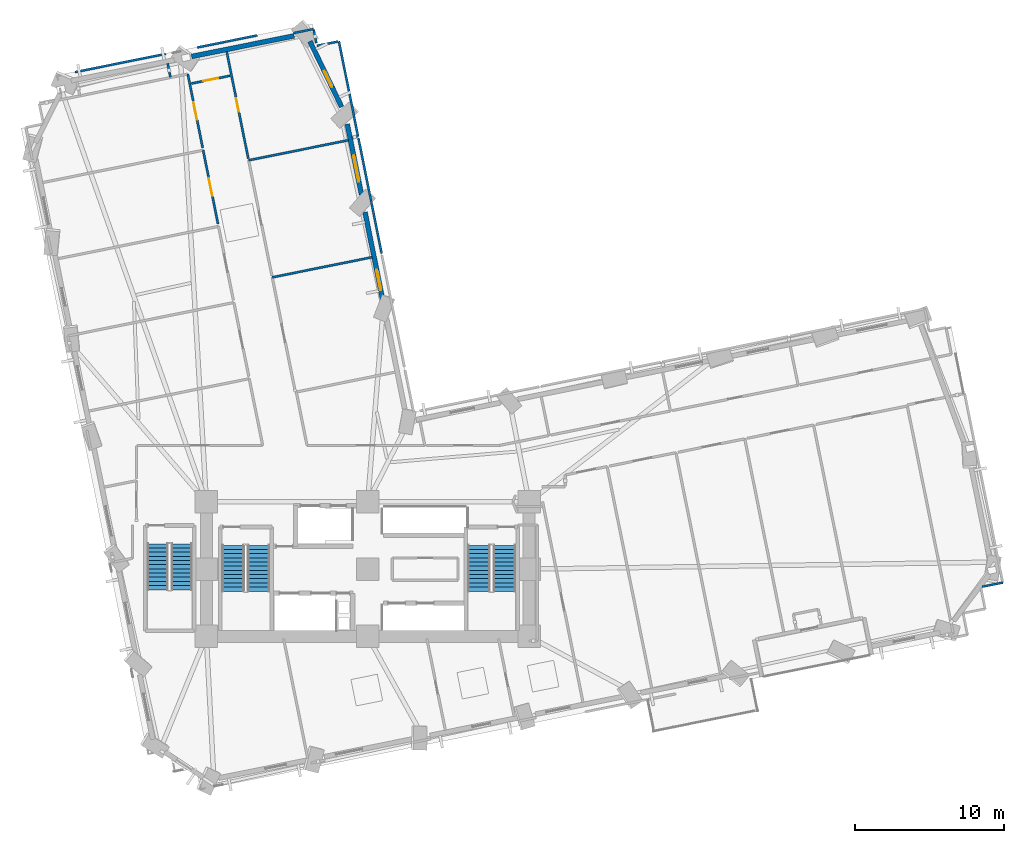
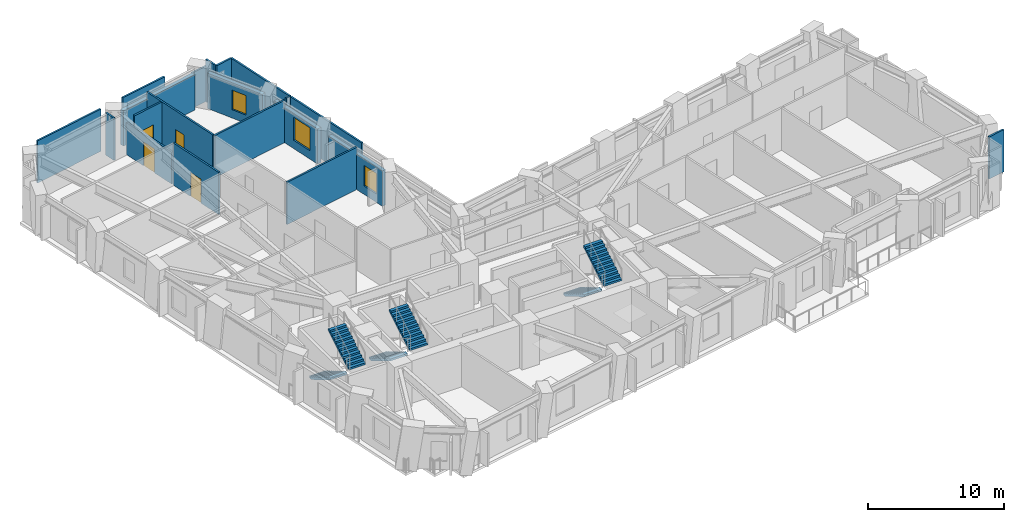
# One storey, part 11 of 16: 20 walls, 6 stair flights, 4 doors, 3 windows, 7 openings, 3 elements without a shape of their own.
"""IFC4 building model written with IfcOpenShell, lengths in metres."""

from ifc_helpers import new_model, si_unit, direction, frame, frame_2d, origin, place, context, subcontext, project, spatial, polyline, rectangle, outline, extrude, material, layer, layer_set, type_object, element, fill, aggregate, save


model = new_model("IFC4")

# Units and contexts
model_context = context("Model", 3, precision=1e-05, world=origin(), true_north=direction((0.0, 1.0)))
body_context = subcontext(model_context, "Body", "Model", "MODEL_VIEW")
ifc_project = project(units=[si_unit("LENGTHUNIT", "METRE"), si_unit("AREAUNIT", "SQUARE_METRE"), si_unit("VOLUMEUNIT", "CUBIC_METRE"), si_unit("PLANEANGLEUNIT", "RADIAN"), si_unit("MASSUNIT", "GRAM", prefix="KILO")], contexts=[model_context])

# Site, building, storey
site_placement = place(None, origin())
site = spatial("IfcSite", under=ifc_project, at=site_placement, CompositionType="ELEMENT")
building_placement = place(site_placement, origin())
building = spatial("IfcBuilding", under=site, at=building_placement, Name="Gaonmaruhae Medical Tower", CompositionType="ELEMENT")
storey_placement = place(building_placement, frame((0.0, 0.0, 71.0)))
storey = spatial("IfcBuildingStorey", under=building, at=storey_placement, Name="L16", CompositionType="ELEMENT", Elevation=71.0)

# Wall, opening, window
ifc_material_1 = material(Name="Precast concrete C45/55", Category="concrete")
ifc_layer_1 = layer(ifc_material_1, 0.320068359375)
ifc_layer_set_1 = layer_set([ifc_layer_1], Name="Precast concrete C45/55")
wall_type_1 = type_object("IfcWallType", Name="EW-320 Lower Precast Masonry-Frame Facade Wall", PredefinedType="SOLIDWALL", material=ifc_layer_set_1)
wall_1_placement = place(storey_placement, frame((25.805419921875, 30.319091796875, 0.0), z_axis=(0.0, 0.0, 1.0), x_axis=(-0.197666151395, 0.980269397968, 0.0)))
wall_1 = element("IfcWall", 1, at=wall_1_placement, inside=storey, type_object=wall_type_1, Name="L16 Precast Masonry-Frame Wall NE01-NE02", PredefinedType="SOLIDWALL", context=body_context, shape_type="SweptSolid", body=[
    extrude(rectangle(XDim=5.99658203125, YDim=0.320068359375, at=frame_2d((2.998291015625, 0.0))), origin(), (0.0, 0.0, 1.0), 3.1650390625),
])
opening_1_placement = place(wall_1_placement, frame((0.66748046875, 0.0, 0.75)))
opening_1 = element("IfcOpeningElement", 2, at=opening_1_placement, cuts=wall_1, Name="Opening WN-03", PredefinedType="OPENING", context=body_context, shape_type="SweptSolid", body=[
    extrude(rectangle(XDim=1.39990234375, YDim=1.85009765625, at=frame_2d((0.699951171875, 0.925048828125))), frame((0.0, 0.169921875, 0.0), z_axis=(0.0, -1.0, 0.0), x_axis=(1.0, 0.0, 0.0)), (0.0, 0.0, 1.0), 0.340087890625),
])
ifc_material_2 = material(Name="Anodised aluminium and Low-E double glazing", Category="aluminium")
window_type_1 = type_object("IfcWindowType", Name="WN-03 Isolation Ward Punched Window 1400x1850", PartitioningType="SINGLE_PANEL", PredefinedType="WINDOW", material=ifc_material_2)
window_1_placement = place(opening_1_placement, origin())
window_1 = element("IfcWindow", 3, at=window_1_placement, inside=storey, type_object=window_type_1, Name="L16 Modular Facade Window NE01", OverallHeight=1.85009765625, OverallWidth=1.39990234375, PartitioningType="SINGLE_PANEL", PredefinedType="WINDOW", context=body_context, shape_type="SweptSolid", body=[
    extrude(rectangle(XDim=1.39990234375, YDim=1.85009765625, at=frame_2d((0.699951171875, 0.925048828125))), frame((0.0, 0.030029296875, 0.0), z_axis=(0.0, -1.0, 0.0), x_axis=(1.0, 0.0, 0.0)), (0.0, 0.0, 1.0), 0.06005859375),
])
fill(opening_1, window_1)

wall_2_placement = place(storey_placement, frame((24.3837890625, 37.368408203125, 0.0), z_axis=(0.0, 0.0, 1.0), x_axis=(-0.197636570542, 0.980275362327, 0.0)))
wall_2 = element("IfcWall", 4, at=wall_2_placement, inside=storey, type_object=wall_type_1, Name="L16 Precast Masonry-Frame Wall NE02-NE03", PredefinedType="SOLIDWALL", context=body_context, shape_type="SweptSolid", body=[
    extrude(rectangle(XDim=4.81640625, YDim=0.320068359375, at=frame_2d((2.408203125, 0.0))), origin(), (0.0, 0.0, 1.0), 3.1650390625),
])
opening_2_placement = place(wall_2_placement, frame((0.86865234375, 0.0, 0.75)))
opening_2 = element("IfcOpeningElement", 5, at=opening_2_placement, cuts=wall_2, Name="Opening WN-04", PredefinedType="OPENING", context=body_context, shape_type="SweptSolid", body=[
    extrude(rectangle(XDim=1.800048828125, YDim=2.050048828125, at=frame_2d((0.89990234375, 1.02490234375))), frame((0.0, 0.169921875, 0.0), z_axis=(0.0, -1.0, 0.0), x_axis=(1.0, 0.0, 0.0)), (0.0, 0.0, 1.0), 0.340087890625),
])
window_type_2 = type_object("IfcWindowType", Name="WN-04 Clinic & Consult Punched Window 1800x2050", PartitioningType="SINGLE_PANEL", PredefinedType="WINDOW", material=ifc_material_2)
window_2_placement = place(opening_2_placement, origin())
window_2 = element("IfcWindow", 6, at=window_2_placement, inside=storey, type_object=window_type_2, Name="L16 Modular Facade Window NE02", OverallHeight=2.050048828125, OverallWidth=1.800048828125, PartitioningType="SINGLE_PANEL", PredefinedType="WINDOW", context=body_context, shape_type="SweptSolid", body=[
    extrude(rectangle(XDim=1.800048828125, YDim=2.050048828125, at=frame_2d((0.89990234375, 1.02490234375))), frame((0.0, 0.030029296875, 0.0), z_axis=(0.0, -1.0, 0.0), x_axis=(1.0, 0.0, 0.0)), (0.0, 0.0, 1.0), 0.06005859375),
])
fill(opening_2, window_2)

wall_3_placement = place(storey_placement, frame((20.930908203125, 47.634033203125, 0.0), z_axis=(0.0, 0.0, 1.0), x_axis=(0.434947356849, -0.900455882745, 0.0)))
wall_3 = element("IfcWall", 7, at=wall_3_placement, inside=storey, type_object=wall_type_1, Name="L16 Precast Masonry-Frame Wall NE03-N01", PredefinedType="SOLIDWALL", context=body_context, shape_type="SweptSolid", body=[
    extrude(rectangle(XDim=4.888916015625, YDim=0.320068359375, at=frame_2d((2.4443359375, 0.0))), origin(), (0.0, 0.0, 1.0), 3.1650390625),
])
opening_3_placement = place(wall_3_placement, frame((2.21484375, 0.0, 0.75)))
opening_3 = element("IfcOpeningElement", 8, at=opening_3_placement, cuts=wall_3, Name="Opening WN-05", PredefinedType="OPENING", context=body_context, shape_type="SweptSolid", body=[
    extrude(rectangle(XDim=1.199951171875, YDim=1.75, at=frame_2d((0.60009765625, 0.875))), frame((0.0, 0.169921875, 0.0), z_axis=(0.0, -1.0, 0.0), x_axis=(1.0, 0.0, 0.0)), (0.0, 0.0, 1.0), 0.340087890625),
])
window_type_3 = type_object("IfcWindowType", Name="WN-05 Support & Staff Punched Window 1200x1750", PartitioningType="SINGLE_PANEL", PredefinedType="WINDOW", material=ifc_material_2)
window_3_placement = place(opening_3_placement, origin())
window_3 = element("IfcWindow", 9, at=window_3_placement, inside=storey, type_object=window_type_3, Name="L16 Modular Facade Window NE03", OverallHeight=1.75, OverallWidth=1.199951171875, PartitioningType="SINGLE_PANEL", PredefinedType="WINDOW", context=body_context, shape_type="SweptSolid", body=[
    extrude(rectangle(XDim=1.199951171875, YDim=1.75, at=frame_2d((0.60009765625, 0.875))), frame((0.0, 0.030029296875, 0.0), z_axis=(0.0, -1.0, 0.0), x_axis=(1.0, 0.0, 0.0)), (0.0, 0.0, 1.0), 0.06005859375),
])
fill(opening_3, window_3)

# Wall
wall_4_placement = place(storey_placement, frame((13.01513671875, 46.611572265625, 0.0), z_axis=(0.0, 0.0, 1.0), x_axis=(0.98026972201, 0.197664544393, 0.0)))
element("IfcWall", 10, at=wall_4_placement, inside=storey, type_object=wall_type_1, Name="L16 Precast Masonry-Frame Wall N01-N02", PredefinedType="SOLIDWALL", context=body_context, shape_type="SweptSolid", body=[
    extrude(rectangle(XDim=7.003173828125, YDim=0.320068359375, at=frame_2d((3.50146484375, 0.0))), origin(), (0.0, 0.0, 1.0), 3.1650390625),
])

# Wall, opening, door
ifc_material_3 = material(Name="Gypsum board partition", Category="gypsum")
ifc_layer_2 = layer(ifc_material_3, 0.14990234375)
ifc_layer_set_2 = layer_set([ifc_layer_2], Name="Gypsum board partition")
wall_type_2 = type_object("IfcWallType", Name="PW-150 Rated Clinical Corridor Partition", PredefinedType="PARTITIONING", material=ifc_layer_set_2)
wall_5_placement = place(storey_placement, frame((13.787109375, 40.340087890625, 0.0), z_axis=(0.0, 0.0, 1.0), x_axis=(0.19779272105, -0.980243867361, 0.0)))
wall_5 = element("IfcWall", 11, at=wall_5_placement, inside=storey, type_object=wall_type_2, Name="L16 Interior Partition L16-WOF16-55", PredefinedType="PARTITIONING", context=body_context, shape_type="SweptSolid", body=[
    extrude(rectangle(XDim=5.039794921875, YDim=0.14990234375, at=frame_2d((2.52001953125, 0.0))), origin(), (0.0, 0.0, 1.0), 3.780029296875),
])
opening_4_placement = place(wall_5_placement, frame((1.919921875, 0.0, 0.0)))
opening_4 = element("IfcOpeningElement", 12, at=opening_4_placement, cuts=wall_5, Name="Opening CD-02", PredefinedType="OPENING", context=body_context, shape_type="SweptSolid", body=[
    extrude(rectangle(XDim=1.199951171875, YDim=2.14990234375, at=frame_2d((0.60009765625, 1.074951171875))), frame((0.0, 0.0849609375, 0.0), z_axis=(0.0, -1.0, 0.0), x_axis=(1.0, 0.0, 0.0)), (0.0, 0.0, 1.0), 0.169921875),
])
ifc_material_4 = material(Name="Antimicrobial laminate timber fire door", Category="wood")
door_type_1 = type_object("IfcDoorType", Name="CD-02 Clinical Treatment & Procedure Door 1200x2150", OperationType="NOTDEFINED", PredefinedType="DOOR", material=ifc_material_4)
door_1_placement = place(opening_4_placement, origin())
door_1 = element("IfcDoor", 13, at=door_1_placement, inside=storey, type_object=door_type_1, Name="L16 Ward Physician Reporting Office Door", OperationType="SINGLE_SWING_LEFT", OverallHeight=2.14990234375, OverallWidth=1.199951171875, PredefinedType="DOOR", context=body_context, shape_type="SweptSolid", body=[
    extrude(rectangle(XDim=1.199951171875, YDim=2.14990234375, at=frame_2d((0.60009765625, 1.074951171875))), frame((0.0, 0.02490234375, 0.0), z_axis=(0.0, -1.0, 0.0), x_axis=(1.0, 0.0, 0.0)), (0.0, 0.0, 1.0), 0.050048828125),
])
fill(opening_4, door_1)

wall_6_placement = place(storey_placement, frame((12.760009765625, 45.43798828125, 0.0), z_axis=(0.0, 0.0, 1.0), x_axis=(0.197624916703, -0.980277711824, 0.0)))
wall_6 = element("IfcWall", 14, at=wall_6_placement, inside=storey, type_object=wall_type_2, Name="L16 Interior Partition L16-WOF17-59", PredefinedType="PARTITIONING", context=body_context, shape_type="SweptSolid", body=[
    extrude(rectangle(XDim=5.040283203125, YDim=0.14990234375, at=frame_2d((2.52001953125, 0.0))), origin(), (0.0, 0.0, 1.0), 2.864990234375),
])
opening_5_placement = place(wall_6_placement, frame((1.920166015625, 0.0, 0.0)))
opening_5 = element("IfcOpeningElement", 15, at=opening_5_placement, cuts=wall_6, Name="Opening CD-02", PredefinedType="OPENING", context=body_context, shape_type="SweptSolid", body=[
    extrude(rectangle(XDim=1.199951171875, YDim=2.14990234375, at=frame_2d((0.60009765625, 1.074951171875))), frame((0.0, 0.0849609375, 0.0), z_axis=(0.0, -1.0, 0.0), x_axis=(1.0, 0.0, 0.0)), (0.0, 0.0, 1.0), 0.169921875),
])
door_2_placement = place(opening_5_placement, origin())
door_2 = element("IfcDoor", 16, at=door_2_placement, inside=storey, type_object=door_type_1, Name="L16 Ward Physician Reporting Office Door", OperationType="SINGLE_SWING_LEFT", OverallHeight=2.14990234375, OverallWidth=1.199951171875, PredefinedType="DOOR", context=body_context, shape_type="SweptSolid", body=[
    extrude(rectangle(XDim=1.199951171875, YDim=2.14990234375, at=frame_2d((0.60009765625, 1.074951171875))), frame((0.0, 0.02490234375, 0.0), z_axis=(0.0, -1.0, 0.0), x_axis=(1.0, 0.0, 0.0)), (0.0, 0.0, 1.0), 0.050048828125),
])
fill(opening_5, door_2)

# Walls
wall_7_placement = place(storey_placement, frame((18.410888671875, 31.8310546875, 0.0), z_axis=(0.0, 0.0, 1.0), x_axis=(0.980272194859, 0.1976522805, 0.0)))
element("IfcWall", 17, at=wall_7_placement, inside=storey, type_object=wall_type_2, Name="L16 Interior Partition L16-IN01-87", PredefinedType="PARTITIONING", context=body_context, shape_type="SweptSolid", body=[
    extrude(rectangle(XDim=6.814697265625, YDim=0.14990234375, at=frame_2d((3.4072265625, 0.0))), origin(), (0.0, 0.0, 1.0), 3.780029296875),
])
wall_8_placement = place(storey_placement, frame((16.8310546875, 39.6640625, 0.0), z_axis=(0.0, 0.0, 1.0), x_axis=(0.980276392981, 0.197631458435, 0.0)))
element("IfcWall", 18, at=wall_8_placement, inside=storey, type_object=wall_type_2, Name="L16 Interior Partition L16-IN02-90", PredefinedType="PARTITIONING", context=body_context, shape_type="SweptSolid", body=[
    extrude(rectangle(XDim=6.8154296875, YDim=0.14990234375, at=frame_2d((3.40771484375, 0.0))), origin(), (0.0, 0.0, 1.0), 3.780029296875),
])
wall_9_placement = place(storey_placement, frame((24.18310546875, 41.14599609375, 0.0), z_axis=(0.0, 0.0, 1.0), x_axis=(0.197690746024, -0.98026443827, 0.0)))
element("IfcWall", 19, at=wall_9_placement, inside=storey, type_object=wall_type_2, Name="L16 Interior Partition L16-IN02-91", PredefinedType="PARTITIONING", context=body_context, shape_type="SweptSolid", body=[
    extrude(rectangle(XDim=7.870361328125, YDim=0.14990234375, at=frame_2d((3.93505859375, 0.0))), origin(), (0.0, 0.0, 1.0), 3.780029296875),
])
wall_10_placement = place(storey_placement, frame((22.8759765625, 47.631103515625, 0.0), z_axis=(0.0, 0.0, 1.0), x_axis=(0.197669966199, -0.980268628725, 0.0)))
element("IfcWall", 20, at=wall_10_placement, inside=storey, type_object=wall_type_2, Name="L16 Interior Partition L16-IN03-92", PredefinedType="PARTITIONING", context=body_context, shape_type="SweptSolid", body=[
    extrude(rectangle(XDim=6.495361328125, YDim=0.14990234375, at=frame_2d((3.24755859375, 0.0))), origin(), (0.0, 0.0, 1.0), 3.780029296875),
])
wall_11_placement = place(storey_placement, frame((24.111083984375, 41.25390625, 0.0), z_axis=(0.0, 0.0, 1.0), x_axis=(-0.980374510456, -0.197144158544, 0.0)))
element("IfcWall", 21, at=wall_11_placement, inside=storey, type_object=wall_type_2, Name="L16 Interior Partition L16-IN03-93", PredefinedType="PARTITIONING", context=body_context, shape_type="SweptSolid", body=[
    extrude(rectangle(XDim=0.365234375, YDim=0.14990234375, at=frame_2d((0.1826171875, 0.0))), origin(), (0.0, 0.0, 1.0), 3.780029296875),
])

# Wall, opening, door
wall_12_placement = place(storey_placement, frame((16.80810546875, 39.781005859375, 0.0), z_axis=(0.0, 0.0, 1.0), x_axis=(-0.197804914587, 0.980241406882, 0.0)))
wall_12 = element("IfcWall", 22, at=wall_12_placement, inside=storey, type_object=wall_type_2, Name="L16 Interior Partition L16-IN03-94", PredefinedType="PARTITIONING", context=body_context, shape_type="SweptSolid", body=[
    extrude(rectangle(XDim=7.310546875, YDim=0.14990234375, at=frame_2d((3.6552734375, 0.0))), origin(), (0.0, 0.0, 1.0), 3.780029296875),
])
opening_6_placement = place(wall_12_placement, frame((3.1953125, 0.0, 0.0)))
opening_6 = element("IfcOpeningElement", 23, at=opening_6_placement, cuts=wall_12, Name="Opening UD-01", PredefinedType="OPENING", context=body_context, shape_type="SweptSolid", body=[
    extrude(rectangle(XDim=0.919921875, YDim=2.10009765625, at=frame_2d((0.4599609375, 1.050048828125))), frame((0.0, 0.0849609375, 0.0), z_axis=(0.0, -1.0, 0.0), x_axis=(1.0, 0.0, 0.0)), (0.0, 0.0, 1.0), 0.169921875),
])
ifc_material_5 = material(Name="Powder-coated steel utility door", Category="steel")
door_type_2 = type_object("IfcDoorType", Name="UD-01 Toilet, Utility & Housekeeping Door 920x2100", OperationType="NOTDEFINED", PredefinedType="DOOR", material=ifc_material_5)
door_3_placement = place(opening_6_placement, origin())
door_3 = element("IfcDoor", 24, at=door_3_placement, inside=storey, type_object=door_type_2, Name="L16 Public Visitor Toilet Door", OperationType="SINGLE_SWING_LEFT", OverallHeight=2.10009765625, OverallWidth=0.919921875, PredefinedType="DOOR", context=body_context, shape_type="SweptSolid", body=[
    extrude(rectangle(XDim=0.919921875, YDim=2.10009765625, at=frame_2d((0.4599609375, 1.050048828125))), frame((0.0, 0.02490234375, 0.0), z_axis=(0.0, -1.0, 0.0), x_axis=(1.0, 0.0, 0.0)), (0.0, 0.0, 1.0), 0.050048828125),
])
fill(opening_6, door_3)

# Walls
wall_13_placement = place(storey_placement, frame((19.842041015625, 48.181884765625, 0.0), z_axis=(0.0, 0.0, 1.0), x_axis=(0.980235176833, 0.197835785689, 0.0)))
element("IfcWall", 25, at=wall_13_placement, inside=storey, type_object=wall_type_2, Name="L16 Interior Partition L16-IN03-95", PredefinedType="PARTITIONING", context=body_context, shape_type="SweptSolid", body=[
    extrude(rectangle(XDim=1.36474609375, YDim=0.14990234375, at=frame_2d((0.682373046875, 0.0))), origin(), (0.0, 0.0, 1.0), 3.1650390625),
])
wall_14_placement = place(storey_placement, frame((21.18994140625, 48.403076171875, 0.0), z_axis=(0.0, 0.0, 1.0), x_axis=(0.196937151026, -0.980416114997, 0.0)))
element("IfcWall", 26, at=wall_14_placement, inside=storey, type_object=wall_type_2, Name="L16 Interior Partition L16-IN03-96", PredefinedType="PARTITIONING", context=body_context, shape_type="SweptSolid", body=[
    extrude(rectangle(XDim=0.914794921875, YDim=0.14990234375, at=frame_2d((0.45751953125, 0.0))), origin(), (0.0, 0.0, 1.0), 3.780029296875),
])
wall_15_placement = place(storey_placement, frame((21.405029296875, 47.333984375, 0.0), z_axis=(0.0, 0.0, 1.0), x_axis=(0.980216494426, 0.197928330605, 0.0)))
element("IfcWall", 27, at=wall_15_placement, inside=storey, type_object=wall_type_2, Name="L16 Interior Partition L16-IN03-97", PredefinedType="PARTITIONING", context=body_context, shape_type="SweptSolid", body=[
    extrude(rectangle(XDim=1.45068359375, YDim=0.14990234375, at=frame_2d((0.725341796875, 0.0))), origin(), (0.0, 0.0, 1.0), 3.780029296875),
])
wall_16_placement = place(storey_placement, frame((5.215087890625, 45.569091796875, 0.0), z_axis=(0.0, 0.0, 1.0), x_axis=(0.980259293223, 0.197716256414, 0.0)))
element("IfcWall", 28, at=wall_16_placement, inside=storey, type_object=wall_type_2, Name="L16 Interior Partition L16-RM01-98", PredefinedType="PARTITIONING", context=body_context, shape_type="SweptSolid", body=[
    extrude(rectangle(XDim=6.190185546875, YDim=0.14990234375, at=frame_2d((3.09521484375, 0.0))), origin(), (0.0, 0.0, 1.0), 3.780029296875),
])
wall_17_placement = place(storey_placement, frame((11.412109375, 46.15087890625, 0.0), z_axis=(0.0, 0.0, 1.0), x_axis=(0.197804272123, -0.980241536526, 0.0)))
element("IfcWall", 29, at=wall_17_placement, inside=storey, type_object=wall_type_2, Name="L16 Interior Partition L16-RM01-99", PredefinedType="PARTITIONING", context=body_context, shape_type="SweptSolid", body=[
    extrude(rectangle(XDim=0.945556640625, YDim=0.14990234375, at=frame_2d((0.47265625, 0.0))), origin(), (0.0, 0.0, 1.0), 3.780029296875),
])

# Wall, opening, door
wall_18_placement = place(storey_placement, frame((15.587890625, 45.324951171875, 0.0), z_axis=(0.0, 0.0, 1.0), x_axis=(-0.980264069373, -0.197692575216, 0.0)))
wall_18 = element("IfcWall", 30, at=wall_18_placement, inside=storey, type_object=wall_type_2, Name="L16 Interior Partition L16-RM02-101", PredefinedType="PARTITIONING", context=body_context, shape_type="SweptSolid", body=[
    extrude(rectangle(XDim=2.650146484375, YDim=0.14990234375, at=frame_2d((1.3251953125, 0.0))), origin(), (0.0, 0.0, 1.0), 3.780029296875),
])
opening_7_placement = place(wall_18_placement, frame((0.8251953125, 0.0, 0.0)))
opening_7 = element("IfcOpeningElement", 31, at=opening_7_placement, cuts=wall_18, Name="Opening CD-01", PredefinedType="OPENING", context=body_context, shape_type="SweptSolid", body=[
    extrude(rectangle(XDim=1.0, YDim=2.1201171875, at=frame_2d((0.5, 1.06005859375))), frame((0.0, 0.0849609375, 0.0), z_axis=(0.0, -1.0, 0.0), x_axis=(1.0, 0.0, 0.0)), (0.0, 0.0, 1.0), 0.169921875),
])
door_type_3 = type_object("IfcDoorType", Name="CD-01 Consultation & Physician Office Door 1000x2120", OperationType="NOTDEFINED", PredefinedType="DOOR", material=ifc_material_4)
door_4_placement = place(opening_7_placement, origin())
door_4 = element("IfcDoor", 32, at=door_4_placement, inside=storey, type_object=door_type_3, Name="L16 Care Team Clinical Charting Office Door", OperationType="SINGLE_SWING_LEFT", OverallHeight=2.1201171875, OverallWidth=1.0, PredefinedType="DOOR", context=body_context, shape_type="SweptSolid", body=[
    extrude(rectangle(XDim=1.0, YDim=2.1201171875, at=frame_2d((0.5, 1.06005859375))), frame((0.0, 0.02490234375, 0.0), z_axis=(0.0, -1.0, 0.0), x_axis=(1.0, 0.0, 0.0)), (0.0, 0.0, 1.0), 0.050048828125),
])
fill(opening_7, door_4)

# Walls
wall_19_placement = place(storey_placement, frame((13.39306640625, 47.218017578125, 0.0), z_axis=(0.0, 0.0, 1.0), x_axis=(0.980256163241, 0.197731773946, 0.0)))
element("IfcWall", 33, at=wall_19_placement, inside=storey, type_object=wall_type_2, Name="L16 Interior Partition L16-RM02-102", PredefinedType="PARTITIONING", context=body_context, shape_type="SweptSolid", body=[
    extrude(rectangle(XDim=4.0966796875, YDim=0.14990234375, at=frame_2d((2.04833984375, 0.0))), origin(), (0.0, 0.0, 1.0), 3.780029296875),
])
wall_20_placement = place(storey_placement, frame((67.31396484375, 11.39892578125, 0.0), z_axis=(0.0, 0.0, 1.0), x_axis=(-0.980415230689, -0.196941553345, 0.0)))
element("IfcWall", 34, at=wall_20_placement, inside=storey, type_object=wall_type_2, Name="L16 Interior Partition L16-RM04-111", PredefinedType="PARTITIONING", context=body_context, shape_type="SweptSolid", body=[
    extrude(rectangle(XDim=1.421875, YDim=0.14990234375, at=frame_2d((0.7109375, 0.0))), origin(), (0.0, 0.0, 1.0), 3.780029296875),
])

# Stair, stair flights
ifc_material_6 = material(Name="Concrete C40/50", Category="concrete")
stair_type_1 = type_object("IfcStairType", Name="ST-T1 Primary Core Escape Dogleg Stair", PredefinedType="TWO_QUARTER_TURN_STAIR", material=ifc_material_6)
stair_1_placement = place(storey_placement, origin())
stair_1 = element("IfcStair", 35, at=stair_1_placement, inside=storey, type_object=stair_type_1, Name="L16 Protected Escape Stair ST-01", PredefinedType="TWO_QUARTER_TURN_STAIR")
stair_flight_type_1 = type_object("IfcStairFlightType", Name="SF-T1 Primary Core Precast Stair Flight", PredefinedType="STRAIGHT", material=ifc_material_6)
stair_flight_1_placement = place(storey_placement, frame((15.800048828125, 13.89990234375, 0.0), z_axis=(0.0, 0.0, 1.0), x_axis=(0.0, -1.0, 0.0)))
stair_flight_1 = element("IfcStairFlight", 36, at=stair_flight_1_placement, type_object=stair_flight_type_1, Name="ST-01 flight 1", NumberOfRisers=12, NumberOfTreads=11, PredefinedType="STRAIGHT", RiserHeight=0.166666667, TreadLength=0.28, context=body_context, shape_type="SweptSolid", body=[
    extrude(outline(polyline([(0.0, 0.0), (0.0, 0.166748046875), (0.280029296875, 0.166748046875), (0.280029296875, 0.333251953125), (0.56005859375, 0.333251953125), (0.56005859375, 0.5), (0.840087890625, 0.5), (0.840087890625, 0.666748046875), (1.1201171875, 0.666748046875), (1.1201171875, 0.833251953125), (1.39990234375, 0.833251953125), (1.39990234375, 1.0), (1.679931640625, 1.0), (1.679931640625, 1.166748046875), (1.9599609375, 1.166748046875), (1.9599609375, 1.333251953125), (2.239990234375, 1.333251953125), (2.239990234375, 1.5), (2.52001953125, 1.5), (2.52001953125, 1.666748046875), (2.800048828125, 1.666748046875), (2.800048828125, 1.833251953125), (3.080078125, 1.833251953125), (3.080078125, 2.0), (3.080078125, 1.658935546875), (0.29296875, 0.0), (0.0, 0.0)])), frame((0.0, 0.75, 0.0), z_axis=(0.0, -1.0, 0.0), x_axis=(1.0, 0.0, 0.0)), (0.0, 0.0, 1.0), 1.5),
])
stair_flight_2_placement = place(storey_placement, frame((17.5, 10.820068359375, 2.0), z_axis=(0.0, 0.0, 1.0), x_axis=(0.0, 1.0, 0.0)))
stair_flight_2 = element("IfcStairFlight", 37, at=stair_flight_2_placement, type_object=stair_flight_type_1, Name="ST-01 flight 2", NumberOfRisers=12, NumberOfTreads=11, PredefinedType="STRAIGHT", RiserHeight=0.166666667, TreadLength=0.28, context=body_context, shape_type="SweptSolid", body=[
    extrude(outline(polyline([(0.0, 0.0), (0.0, 0.166748046875), (0.280029296875, 0.166748046875), (0.280029296875, 0.333251953125), (0.56005859375, 0.333251953125), (0.56005859375, 0.5), (0.840087890625, 0.5), (0.840087890625, 0.666748046875), (1.1201171875, 0.666748046875), (1.1201171875, 0.833251953125), (1.39990234375, 0.833251953125), (1.39990234375, 1.0), (1.679931640625, 1.0), (1.679931640625, 1.166748046875), (1.9599609375, 1.166748046875), (1.9599609375, 1.333251953125), (2.239990234375, 1.333251953125), (2.239990234375, 1.5), (2.52001953125, 1.5), (2.52001953125, 1.666748046875), (2.800048828125, 1.666748046875), (2.800048828125, 1.833251953125), (3.080078125, 1.833251953125), (3.080078125, 2.0), (3.080078125, 1.658935546875), (0.29296875, 0.0), (0.0, 0.0)])), frame((0.0, 0.75, 0.0), z_axis=(0.0, -1.0, 0.0), x_axis=(1.0, 0.0, 0.0)), (0.0, 0.0, 1.0), 1.5),
])
aggregate(stair_1, [stair_flight_1, stair_flight_2])

stair_2_placement = place(storey_placement, origin())
stair_2 = element("IfcStair", 38, at=stair_2_placement, inside=storey, type_object=stair_type_1, Name="L16 Protected Escape Stair ST-02", PredefinedType="TWO_QUARTER_TURN_STAIR")
stair_flight_3_placement = place(storey_placement, frame((32.25, 13.89990234375, 0.0), z_axis=(0.0, 0.0, 1.0), x_axis=(0.0, -1.0, 0.0)))
stair_flight_3 = element("IfcStairFlight", 39, at=stair_flight_3_placement, type_object=stair_flight_type_1, Name="ST-02 flight 1", NumberOfRisers=12, NumberOfTreads=11, PredefinedType="STRAIGHT", RiserHeight=0.166666667, TreadLength=0.28, context=body_context, shape_type="SweptSolid", body=[
    extrude(outline(polyline([(0.0, 0.0), (0.0, 0.166748046875), (0.280029296875, 0.166748046875), (0.280029296875, 0.333251953125), (0.56005859375, 0.333251953125), (0.56005859375, 0.5), (0.840087890625, 0.5), (0.840087890625, 0.666748046875), (1.1201171875, 0.666748046875), (1.1201171875, 0.833251953125), (1.39990234375, 0.833251953125), (1.39990234375, 1.0), (1.679931640625, 1.0), (1.679931640625, 1.166748046875), (1.9599609375, 1.166748046875), (1.9599609375, 1.333251953125), (2.239990234375, 1.333251953125), (2.239990234375, 1.5), (2.52001953125, 1.5), (2.52001953125, 1.666748046875), (2.800048828125, 1.666748046875), (2.800048828125, 1.833251953125), (3.080078125, 1.833251953125), (3.080078125, 2.0), (3.080078125, 1.658935546875), (0.29296875, 0.0), (0.0, 0.0)])), frame((0.0, 0.75, 0.0), z_axis=(0.0, -1.0, 0.0), x_axis=(1.0, 0.0, 0.0)), (0.0, 0.0, 1.0), 1.5),
])
stair_flight_4_placement = place(storey_placement, frame((33.949951171875, 10.820068359375, 2.0), z_axis=(0.0, 0.0, 1.0), x_axis=(0.0, 1.0, 0.0)))
stair_flight_4 = element("IfcStairFlight", 40, at=stair_flight_4_placement, type_object=stair_flight_type_1, Name="ST-02 flight 2", NumberOfRisers=12, NumberOfTreads=11, PredefinedType="STRAIGHT", RiserHeight=0.166666667, TreadLength=0.28, context=body_context, shape_type="SweptSolid", body=[
    extrude(outline(polyline([(0.0, 0.0), (0.0, 0.166748046875), (0.280029296875, 0.166748046875), (0.280029296875, 0.333251953125), (0.56005859375, 0.333251953125), (0.56005859375, 0.5), (0.840087890625, 0.5), (0.840087890625, 0.666748046875), (1.1201171875, 0.666748046875), (1.1201171875, 0.833251953125), (1.39990234375, 0.833251953125), (1.39990234375, 1.0), (1.679931640625, 1.0), (1.679931640625, 1.166748046875), (1.9599609375, 1.166748046875), (1.9599609375, 1.333251953125), (2.239990234375, 1.333251953125), (2.239990234375, 1.5), (2.52001953125, 1.5), (2.52001953125, 1.666748046875), (2.800048828125, 1.666748046875), (2.800048828125, 1.833251953125), (3.080078125, 1.833251953125), (3.080078125, 2.0), (3.080078125, 1.658935546875), (0.29296875, 0.0), (0.0, 0.0)])), frame((0.0, 0.75, 0.0), z_axis=(0.0, -1.0, 0.0), x_axis=(1.0, 0.0, 0.0)), (0.0, 0.0, 1.0), 1.5),
])
aggregate(stair_2, [stair_flight_3, stair_flight_4])

stair_type_2 = type_object("IfcStairType", Name="ST-T2 Zone 1 Escape Dogleg Stair", PredefinedType="TWO_QUARTER_TURN_STAIR", material=ifc_material_6)
stair_3_placement = place(storey_placement, origin())
stair_3 = element("IfcStair", 41, at=stair_3_placement, inside=storey, type_object=stair_type_2, Name="L16 Protected Escape Stair ST-03", PredefinedType="TWO_QUARTER_TURN_STAIR")
stair_flight_type_2 = type_object("IfcStairFlightType", Name="SF-T2 Zone 1 Precast Stair Flight", PredefinedType="STRAIGHT", material=ifc_material_6)
stair_flight_5_placement = place(storey_placement, frame((10.75, 14.0, 0.0), z_axis=(0.0, 0.0, 1.0), x_axis=(0.0, -1.0, 0.0)))
stair_flight_5 = element("IfcStairFlight", 42, at=stair_flight_5_placement, type_object=stair_flight_type_2, Name="ST-03 flight 1", NumberOfRisers=12, NumberOfTreads=11, PredefinedType="STRAIGHT", RiserHeight=0.166666667, TreadLength=0.28, context=body_context, shape_type="SweptSolid", body=[
    extrude(outline(polyline([(0.0, 0.0), (0.0, 0.166748046875), (0.280029296875, 0.166748046875), (0.280029296875, 0.333251953125), (0.56005859375, 0.333251953125), (0.56005859375, 0.5), (0.840087890625, 0.5), (0.840087890625, 0.666748046875), (1.1201171875, 0.666748046875), (1.1201171875, 0.833251953125), (1.39990234375, 0.833251953125), (1.39990234375, 1.0), (1.679931640625, 1.0), (1.679931640625, 1.166748046875), (1.9599609375, 1.166748046875), (1.9599609375, 1.333251953125), (2.239990234375, 1.333251953125), (2.239990234375, 1.5), (2.52001953125, 1.5), (2.52001953125, 1.666748046875), (2.800048828125, 1.666748046875), (2.800048828125, 1.833251953125), (3.080078125, 1.833251953125), (3.080078125, 2.0), (3.080078125, 1.658935546875), (0.29296875, 0.0), (0.0, 0.0)])), frame((0.0, 0.699951171875, 0.0), z_axis=(0.0, -1.0, 0.0), x_axis=(1.0, 0.0, 0.0)), (0.0, 0.0, 1.0), 1.39990234375),
])
stair_flight_6_placement = place(storey_placement, frame((12.35009765625, 10.919921875, 2.0), z_axis=(0.0, 0.0, 1.0), x_axis=(0.0, 1.0, 0.0)))
stair_flight_6 = element("IfcStairFlight", 43, at=stair_flight_6_placement, type_object=stair_flight_type_2, Name="ST-03 flight 2", NumberOfRisers=12, NumberOfTreads=11, PredefinedType="STRAIGHT", RiserHeight=0.166666667, TreadLength=0.28, context=body_context, shape_type="SweptSolid", body=[
    extrude(outline(polyline([(0.0, 0.0), (0.0, 0.166748046875), (0.280029296875, 0.166748046875), (0.280029296875, 0.333251953125), (0.56005859375, 0.333251953125), (0.56005859375, 0.5), (0.840087890625, 0.5), (0.840087890625, 0.666748046875), (1.1201171875, 0.666748046875), (1.1201171875, 0.833251953125), (1.39990234375, 0.833251953125), (1.39990234375, 1.0), (1.679931640625, 1.0), (1.679931640625, 1.166748046875), (1.9599609375, 1.166748046875), (1.9599609375, 1.333251953125), (2.239990234375, 1.333251953125), (2.239990234375, 1.5), (2.52001953125, 1.5), (2.52001953125, 1.666748046875), (2.800048828125, 1.666748046875), (2.800048828125, 1.833251953125), (3.080078125, 1.833251953125), (3.080078125, 2.0), (3.080078125, 1.658935546875), (0.29296875, 0.0), (0.0, 0.0)])), frame((0.0, 0.699951171875, 0.0), z_axis=(0.0, -1.0, 0.0), x_axis=(1.0, 0.0, 0.0)), (0.0, 0.0, 1.0), 1.39990234375),
])
aggregate(stair_3, [stair_flight_5, stair_flight_6])

save(model, "model.ifc")
